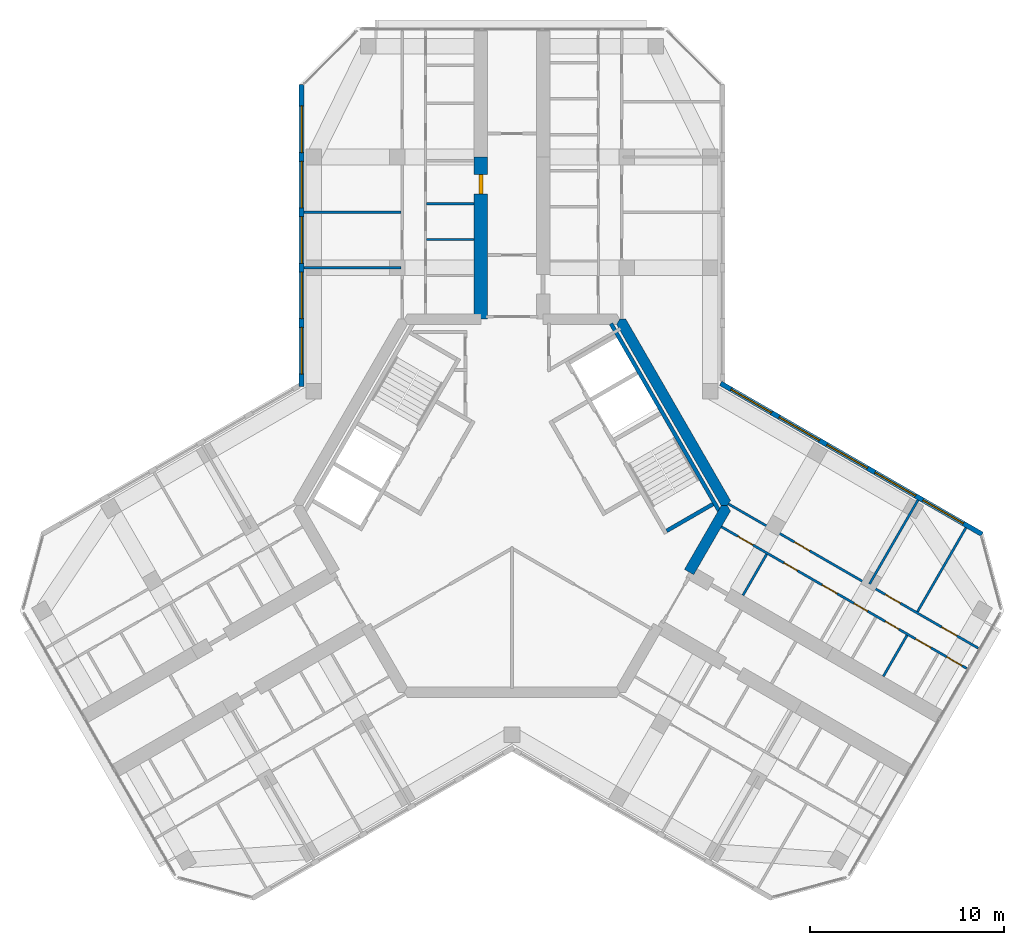
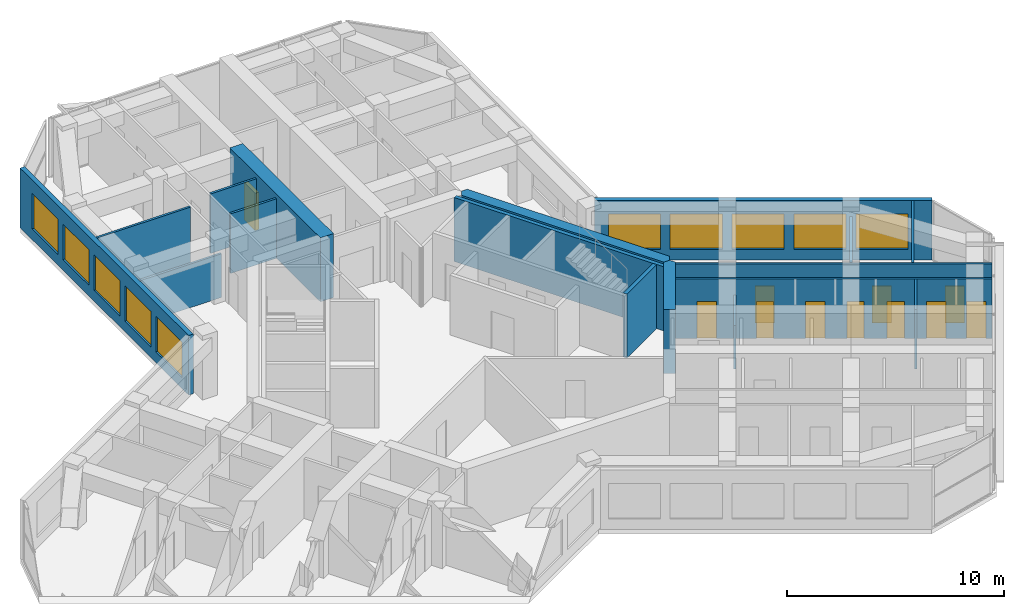
# One storey, part 11 of 14: 17 walls, 11 doors, 10 windows, 21 openings.
"""IFC4 building model written with IfcOpenShell, lengths in metres."""

from ifc_helpers import new_model, si_unit, direction, frame, frame_2d, origin, place, context, subcontext, project, spatial, polyline, rectangle, outline, extrude, material, layer, layer_set, type_object, element, fill, save


model = new_model("IFC4")

# Units and contexts
model_context = context("Model", 3, precision=1e-05, world=origin(), true_north=direction((0.0, 1.0)))
body_context = subcontext(model_context, "Body", "Model", "MODEL_VIEW")
ifc_project = project(units=[si_unit("LENGTHUNIT", "METRE"), si_unit("AREAUNIT", "SQUARE_METRE"), si_unit("VOLUMEUNIT", "CUBIC_METRE"), si_unit("PLANEANGLEUNIT", "RADIAN"), si_unit("MASSUNIT", "GRAM", prefix="KILO")], contexts=[model_context])

# Site, building, storey
site_placement = place(None, origin())
site = spatial("IfcSite", under=ifc_project, at=site_placement, CompositionType="ELEMENT")
building_placement = place(site_placement, origin())
building = spatial("IfcBuilding", under=site, at=building_placement, Name="Kosmar Iwan School Tower", CompositionType="ELEMENT")
storey_placement = place(building_placement, frame((0.0, 0.0, 271.0)))
storey = spatial("IfcBuildingStorey", under=building, at=storey_placement, Name="L68", CompositionType="ELEMENT", Elevation=271.0)

# Walls
ifc_material_1 = material(Name="Concrete C50/60", Category="concrete")
ifc_layer_1 = layer(ifc_material_1, 0.550048828125)
ifc_layer_set_1 = layer_set([ifc_layer_1], Name="Core wall 550")
wall_type_1 = type_object("IfcWallType", Name="Core wall 550", PredefinedType="SHEAR", material=ifc_layer_set_1)
wall_1_placement = place(storey_placement, origin())
element("IfcWall", 1, at=wall_1_placement, inside=storey, type_object=wall_type_1, Name="Core wall F030", PredefinedType="SHEAR", context=body_context, shape_type="SweptSolid", body=[
    extrude(outline(polyline([(10.767578125, 0.0), (11.085205078125, 0.0), (11.243896484375, 0.27490234375), (5.860107421875, 9.60009765625), (5.54248046875, 9.60009765625), (5.3837890625, 9.324951171875), (10.767578125, 0.0)])), origin(), (0.0, 0.0, 1.0), 3.60009765625),
])
wall_2_placement = place(storey_placement, origin())
element("IfcWall", 2, at=wall_2_placement, inside=storey, type_object=wall_type_1, Name="Core wall F330b", PredefinedType="SHEAR", context=body_context, shape_type="SweptSolid", body=[
    extrude(outline(polyline([(9.35205078125, -3.5517578125), (11.243896484375, -0.27490234375), (11.085205078125, 0.0), (10.767578125, 0.0), (8.875732421875, -3.27685546875), (9.35205078125, -3.5517578125)])), origin(), (0.0, 0.0, 1.0), 3.60009765625),
])

# Wall, opening, door
ifc_material_2 = material(Name="Concrete C50/60", Category="concrete")
ifc_layer_2 = layer(ifc_material_2, 0.699951171875)
ifc_layer_set_2 = layer_set([ifc_layer_2], Name="Corridor buttress wall 700")
wall_type_2 = type_object("IfcWallType", Name="Corridor buttress wall 700", PredefinedType="SHEAR", material=ifc_layer_set_2)
wall_3_placement = place(storey_placement, frame((-1.60009765625, 9.60009765625, 0.0), z_axis=(0.0, 0.0, 1.0), x_axis=(0.0, 1.0, 0.0)))
wall_3 = element("IfcWall", 3, at=wall_3_placement, inside=storey, type_object=wall_type_2, Name="Corridor wall AL", PredefinedType="SHEAR", context=body_context, shape_type="SweptSolid", body=[
    extrude(rectangle(XDim=8.349853515625, YDim=0.699951171875, at=frame_2d((4.1748046875, 0.0))), origin(), (0.0, 0.0, 1.0), 3.60009765625),
])
opening_1_placement = place(wall_3_placement, frame((6.449951171875, 0.0, 0.0)))
opening_1 = element("IfcOpeningElement", 4, at=opening_1_placement, cuts=wall_3, Name="Opening D1", PredefinedType="OPENING", context=body_context, shape_type="SweptSolid", body=[
    extrude(rectangle(XDim=1.0, YDim=2.10009765625, at=frame_2d((0.5, 1.050048828125))), frame((0.0, 0.362060546875, 0.0), z_axis=(0.0, -1.0, 0.0), x_axis=(1.0, 0.0, 0.0)), (0.0, 0.0, 1.0), 0.723876953125),
])
ifc_material_3 = material(Name="Timber fire door in steel frame", Category="steel")
door_type_1 = type_object("IfcDoorType", Name="Flat entrance door 1000x2100", OperationType="SINGLE_SWING_LEFT", PredefinedType="DOOR", material=ifc_material_3)
door_1_placement = place(opening_1_placement, origin())
door_1 = element("IfcDoor", 5, at=door_1_placement, inside=storey, type_object=door_type_1, Name="Flat L68-AL1 entrance door", OperationType="SINGLE_SWING_LEFT", OverallHeight=2.10009765625, OverallWidth=1.0, PredefinedType="DOOR", context=body_context, shape_type="SweptSolid", body=[
    extrude(rectangle(XDim=1.0, YDim=2.10009765625, at=frame_2d((0.5, 1.050048828125))), frame((0.0, 0.10009765625, 0.0), z_axis=(0.0, -1.0, 0.0), x_axis=(1.0, 0.0, 0.0)), (0.0, 0.0, 1.0), 0.199951171875),
])
fill(opening_1, door_1)

# Walls
ifc_material_4 = material(Name="Gypsum board on steel studs", Category="steel")
ifc_layer_3 = layer(ifc_material_4, 0.1201171875)
ifc_layer_set_3 = layer_set([ifc_layer_3], Name="Dwelling partition 120")
wall_type_3 = type_object("IfcWallType", Name="Dwelling partition 120", PredefinedType="PARTITIONING", material=ifc_layer_set_3)
wall_4_placement = place(storey_placement, frame((-5.7099609375, 12.25, 0.0), z_axis=(0.0, 0.0, 1.0), x_axis=(-1.0, 0.0, 0.0)))
element("IfcWall", 6, at=wall_4_placement, inside=storey, type_object=wall_type_3, Name="Partition L68-AL1-X1", PredefinedType="PARTITIONING", context=body_context, shape_type="SweptSolid", body=[
    extrude(rectangle(XDim=4.989990234375, YDim=0.1201171875, at=frame_2d((2.4951171875, 0.0))), origin(), (0.0, 0.0, 1.0), 2.449951171875),
])
wall_5_placement = place(storey_placement, frame((-5.7099609375, 15.10009765625, 0.0), z_axis=(0.0, 0.0, 1.0), x_axis=(-1.0, 0.0, 0.0)))
element("IfcWall", 7, at=wall_5_placement, inside=storey, type_object=wall_type_3, Name="Partition L68-AL1-X2", PredefinedType="PARTITIONING", context=body_context, shape_type="SweptSolid", body=[
    extrude(rectangle(XDim=4.989990234375, YDim=0.1201171875, at=frame_2d((2.4951171875, 0.0))), origin(), (0.0, 0.0, 1.0), 3.35009765625),
])
for number, where, z_axis, x_axis, name in (
    (8, (-1.949951171875, 13.699951171875, 0.0), (0.0, 0.0, 1.0), (-1.0, 0.0, 0.0), "Partition L68-AL1-Y2"),
    (9, (-1.949951171875, 15.550048828125, 0.0), (0.0, 0.0, 1.0), (-1.0, 0.0, 0.0), "Partition L68-AL1-Y3"),
):
    element("IfcWall", number, at=place(storey_placement, frame(where, z_axis=z_axis, x_axis=x_axis)), inside=storey, type_object=wall_type_3, Name=name, PredefinedType="PARTITIONING", context=body_context, shape_type="SweptSolid", body=[
        extrude(rectangle(XDim=2.43994140625, YDim=0.1201171875, at=frame_2d((1.219970703125, 0.0))), origin(), (0.0, 0.0, 1.0), 3.35009765625),
    ])

# Wall, openings, doors
wall_6_placement = place(storey_placement, frame((10.777099609375, -1.083740234375, 0.0), z_axis=(0.0, 0.0, 1.0), x_axis=(0.866026811131, -0.499997562396, 0.0)))
wall_6 = element("IfcWall", 10, at=wall_6_placement, inside=storey, type_object=wall_type_3, Name="Partition L68-CL1-W1", PredefinedType="PARTITIONING", context=body_context, shape_type="SweptSolid", body=[
    extrude(rectangle(XDim=14.56982421875, YDim=0.1201171875, at=frame_2d((7.284912109375, 0.0))), origin(), (0.0, 0.0, 1.0), 3.35009765625),
])
opening_2_placement = place(wall_6_placement, frame((0.97509765625, 0.0, 0.0)))
opening_2 = element("IfcOpeningElement", 11, at=opening_2_placement, cuts=wall_6, Name="Opening D2", PredefinedType="OPENING", context=body_context, shape_type="SweptSolid", body=[
    extrude(rectangle(XDim=0.89990234375, YDim=2.10009765625, at=frame_2d((0.449951171875, 1.050048828125))), frame((0.0, 0.072021484375, 0.0), z_axis=(0.0, -1.0, 0.0), x_axis=(1.0, 0.0, 0.0)), (0.0, 0.0, 1.0), 0.14404296875),
])
opening_3_placement = place(wall_6_placement, frame((3.71533203125, 0.0, 0.0)))
opening_3 = element("IfcOpeningElement", 12, at=opening_3_placement, cuts=wall_6, Name="Opening D3", PredefinedType="OPENING", context=body_context, shape_type="SweptSolid", body=[
    extrude(rectangle(XDim=0.800048828125, YDim=2.10009765625, at=frame_2d((0.39990234375, 1.050048828125))), frame((0.0, 0.072021484375, 0.0), z_axis=(0.0, -1.0, 0.0), x_axis=(1.0, 0.0, 0.0)), (0.0, 0.0, 1.0), 0.14404296875),
])
opening_4_placement = place(wall_6_placement, frame((5.982666015625, 0.0, 0.0)))
opening_4 = element("IfcOpeningElement", 13, at=opening_4_placement, cuts=wall_6, Name="Opening D2", PredefinedType="OPENING", context=body_context, shape_type="SweptSolid", body=[
    extrude(rectangle(XDim=0.89990234375, YDim=2.10009765625, at=frame_2d((0.449951171875, 1.050048828125))), frame((0.0, 0.072021484375, 0.0), z_axis=(0.0, -1.0, 0.0), x_axis=(1.0, 0.0, 0.0)), (0.0, 0.0, 1.0), 0.14404296875),
])
opening_5_placement = place(wall_6_placement, frame((7.886474609375, 0.0, 0.0)))
opening_5 = element("IfcOpeningElement", 14, at=opening_5_placement, cuts=wall_6, Name="Opening D3", PredefinedType="OPENING", context=body_context, shape_type="SweptSolid", body=[
    extrude(rectangle(XDim=0.800048828125, YDim=2.10009765625, at=frame_2d((0.39990234375, 1.050048828125))), frame((0.0, 0.072021484375, 0.0), z_axis=(0.0, -1.0, 0.0), x_axis=(1.0, 0.0, 0.0)), (0.0, 0.0, 1.0), 0.14404296875),
])
opening_6_placement = place(wall_6_placement, frame((9.740478515625, 0.0, 0.0)))
opening_6 = element("IfcOpeningElement", 15, at=opening_6_placement, cuts=wall_6, Name="Opening D3", PredefinedType="OPENING", context=body_context, shape_type="SweptSolid", body=[
    extrude(rectangle(XDim=0.800048828125, YDim=2.10009765625, at=frame_2d((0.39990234375, 1.050048828125))), frame((0.0, 0.072021484375, 0.0), z_axis=(0.0, -1.0, 0.0), x_axis=(1.0, 0.0, 0.0)), (0.0, 0.0, 1.0), 0.14404296875),
])
opening_7_placement = place(wall_6_placement, frame((11.544189453125, 0.0, 0.0)))
opening_7 = element("IfcOpeningElement", 16, at=opening_7_placement, cuts=wall_6, Name="Opening D2", PredefinedType="OPENING", context=body_context, shape_type="SweptSolid", body=[
    extrude(rectangle(XDim=0.89990234375, YDim=2.10009765625, at=frame_2d((0.449951171875, 1.050048828125))), frame((0.0, 0.072021484375, 0.0), z_axis=(0.0, -1.0, 0.0), x_axis=(1.0, 0.0, 0.0)), (0.0, 0.0, 1.0), 0.14404296875),
])
opening_8_placement = place(wall_6_placement, frame((13.398193359375, 0.0, 0.0)))
opening_8 = element("IfcOpeningElement", 17, at=opening_8_placement, cuts=wall_6, Name="Opening D2", PredefinedType="OPENING", context=body_context, shape_type="SweptSolid", body=[
    extrude(rectangle(XDim=0.89990234375, YDim=2.10009765625, at=frame_2d((0.449951171875, 1.050048828125))), frame((0.0, 0.072021484375, 0.0), z_axis=(0.0, -1.0, 0.0), x_axis=(1.0, 0.0, 0.0)), (0.0, 0.0, 1.0), 0.14404296875),
])
ifc_material_5 = material(Name="Timber door in timber frame", Category="wood")
door_type_2 = type_object("IfcDoorType", Name="Internal door 900x2100", OperationType="SINGLE_SWING_LEFT", PredefinedType="DOOR", material=ifc_material_5)
door_2_placement = place(opening_2_placement, origin())
door_2 = element("IfcDoor", 18, at=door_2_placement, inside=storey, type_object=door_type_2, Name="Entrance hall door L68-CL1-S1", OperationType="SINGLE_SWING_LEFT", OverallHeight=2.10009765625, OverallWidth=0.89990234375, PredefinedType="DOOR", context=body_context, shape_type="SweptSolid", body=[
    extrude(rectangle(XDim=0.89990234375, YDim=2.10009765625, at=frame_2d((0.449951171875, 1.050048828125))), frame((0.0, 0.02490234375, 0.0), z_axis=(0.0, -1.0, 0.0), x_axis=(1.0, 0.0, 0.0)), (0.0, 0.0, 1.0), 0.050048828125),
])
fill(opening_2, door_2)
door_3_placement = place(opening_4_placement, origin())
door_3 = element("IfcDoor", 19, at=door_3_placement, inside=storey, type_object=door_type_2, Name="Pantry door L68-CL1-S3", OperationType="SINGLE_SWING_LEFT", OverallHeight=2.10009765625, OverallWidth=0.89990234375, PredefinedType="DOOR", context=body_context, shape_type="SweptSolid", body=[
    extrude(rectangle(XDim=0.89990234375, YDim=2.10009765625, at=frame_2d((0.449951171875, 1.050048828125))), frame((0.0, 0.02490234375, 0.0), z_axis=(0.0, -1.0, 0.0), x_axis=(1.0, 0.0, 0.0)), (0.0, 0.0, 1.0), 0.050048828125),
])
fill(opening_4, door_3)
door_4_placement = place(opening_7_placement, origin())
door_4 = element("IfcDoor", 20, at=door_4_placement, inside=storey, type_object=door_type_2, Name="Utility room door L68-CL1-S6", OperationType="SINGLE_SWING_RIGHT", OverallHeight=2.10009765625, OverallWidth=0.89990234375, PredefinedType="DOOR", context=body_context, shape_type="SweptSolid", body=[
    extrude(rectangle(XDim=0.89990234375, YDim=2.10009765625, at=frame_2d((0.449951171875, 1.050048828125))), frame((0.0, 0.02490234375, 0.0), z_axis=(0.0, -1.0, 0.0), x_axis=(1.0, 0.0, 0.0)), (0.0, 0.0, 1.0), 0.050048828125),
])
fill(opening_7, door_4)
door_5_placement = place(opening_8_placement, origin())
door_5 = element("IfcDoor", 21, at=door_5_placement, inside=storey, type_object=door_type_2, Name="Dressing room door L68-CL1-S7", OperationType="SINGLE_SWING_RIGHT", OverallHeight=2.10009765625, OverallWidth=0.89990234375, PredefinedType="DOOR", context=body_context, shape_type="SweptSolid", body=[
    extrude(rectangle(XDim=0.89990234375, YDim=2.10009765625, at=frame_2d((0.449951171875, 1.050048828125))), frame((0.0, 0.02490234375, 0.0), z_axis=(0.0, -1.0, 0.0), x_axis=(1.0, 0.0, 0.0)), (0.0, 0.0, 1.0), 0.050048828125),
])
fill(opening_8, door_5)
ifc_material_6 = material(Name="Timber door in timber frame", Category="wood")
door_type_3 = type_object("IfcDoorType", Name="Sanitary room door 800x2100", OperationType="SINGLE_SWING_LEFT", PredefinedType="DOOR", material=ifc_material_6)
door_6_placement = place(opening_3_placement, origin())
door_6 = element("IfcDoor", 22, at=door_6_placement, inside=storey, type_object=door_type_3, Name="Bathroom door L68-CL1-S2", OperationType="SINGLE_SWING_LEFT", OverallHeight=2.10009765625, OverallWidth=0.800048828125, PredefinedType="DOOR", context=body_context, shape_type="SweptSolid", body=[
    extrude(rectangle(XDim=0.800048828125, YDim=2.10009765625, at=frame_2d((0.39990234375, 1.050048828125))), frame((0.0, 0.02490234375, 0.0), z_axis=(0.0, -1.0, 0.0), x_axis=(1.0, 0.0, 0.0)), (0.0, 0.0, 1.0), 0.050048828125),
])
fill(opening_3, door_6)
door_7_placement = place(opening_5_placement, origin())
door_7 = element("IfcDoor", 23, at=door_7_placement, inside=storey, type_object=door_type_3, Name="WC door L68-CL1-S4", OperationType="SINGLE_SWING_RIGHT", OverallHeight=2.10009765625, OverallWidth=0.800048828125, PredefinedType="DOOR", context=body_context, shape_type="SweptSolid", body=[
    extrude(rectangle(XDim=0.800048828125, YDim=2.10009765625, at=frame_2d((0.39990234375, 1.050048828125))), frame((0.0, 0.02490234375, 0.0), z_axis=(0.0, -1.0, 0.0), x_axis=(1.0, 0.0, 0.0)), (0.0, 0.0, 1.0), 0.050048828125),
])
fill(opening_5, door_7)
door_8_placement = place(opening_6_placement, origin())
door_8 = element("IfcDoor", 24, at=door_8_placement, inside=storey, type_object=door_type_3, Name="Store door L68-CL1-S5", OperationType="SINGLE_SWING_RIGHT", OverallHeight=2.10009765625, OverallWidth=0.800048828125, PredefinedType="DOOR", context=body_context, shape_type="SweptSolid", body=[
    extrude(rectangle(XDim=0.800048828125, YDim=2.10009765625, at=frame_2d((0.39990234375, 1.050048828125))), frame((0.0, 0.02490234375, 0.0), z_axis=(0.0, -1.0, 0.0), x_axis=(1.0, 0.0, 0.0)), (0.0, 0.0, 1.0), 0.050048828125),
])
fill(opening_6, door_8)

wall_7_placement = place(storey_placement, frame((11.138916015625, 0.093017578125, 0.0), z_axis=(0.0, 0.0, 1.0), x_axis=(0.866030301974, -0.499991515992, 0.0)))
wall_7 = element("IfcWall", 25, at=wall_7_placement, inside=storey, type_object=wall_type_3, Name="Partition L68-CL1-W2", PredefinedType="PARTITIONING", context=body_context, shape_type="SweptSolid", body=[
    extrude(rectangle(XDim=14.844970703125, YDim=0.1201171875, at=frame_2d((7.42236328125, 0.0))), origin(), (0.0, 0.0, 1.0), 3.35009765625),
])
opening_9_placement = place(wall_7_placement, frame((3.925048828125, 0.0, 0.0)))
opening_9 = element("IfcOpeningElement", 26, at=opening_9_placement, cuts=wall_7, Name="Opening D2", PredefinedType="OPENING", context=body_context, shape_type="SweptSolid", body=[
    extrude(rectangle(XDim=0.89990234375, YDim=2.10009765625, at=frame_2d((0.449951171875, 1.050048828125))), frame((0.0, 0.072021484375, 0.0), z_axis=(0.0, -1.0, 0.0), x_axis=(1.0, 0.0, 0.0)), (0.0, 0.0, 1.0), 0.14404296875),
])
opening_10_placement = place(wall_7_placement, frame((9.324951171875, 0.0, 0.0)))
opening_10 = element("IfcOpeningElement", 27, at=opening_10_placement, cuts=wall_7, Name="Opening D2", PredefinedType="OPENING", context=body_context, shape_type="SweptSolid", body=[
    extrude(rectangle(XDim=0.89990234375, YDim=2.10009765625, at=frame_2d((0.449951171875, 1.050048828125))), frame((0.0, 0.072021484375, 0.0), z_axis=(0.0, -1.0, 0.0), x_axis=(1.0, 0.0, 0.0)), (0.0, 0.0, 1.0), 0.14404296875),
])
opening_11_placement = place(wall_7_placement, frame((12.675048828125, 0.0, 0.0)))
opening_11 = element("IfcOpeningElement", 28, at=opening_11_placement, cuts=wall_7, Name="Opening D2", PredefinedType="OPENING", context=body_context, shape_type="SweptSolid", body=[
    extrude(rectangle(XDim=0.89990234375, YDim=2.10009765625, at=frame_2d((0.449951171875, 1.050048828125))), frame((0.0, 0.072021484375, 0.0), z_axis=(0.0, -1.0, 0.0), x_axis=(1.0, 0.0, 0.0)), (0.0, 0.0, 1.0), 0.14404296875),
])
door_9_placement = place(opening_9_placement, origin())
door_9 = element("IfcDoor", 29, at=door_9_placement, inside=storey, type_object=door_type_2, Name="Living room door L68-CL1-F1", OperationType="SINGLE_SWING_LEFT", OverallHeight=2.10009765625, OverallWidth=0.89990234375, PredefinedType="DOOR", context=body_context, shape_type="SweptSolid", body=[
    extrude(rectangle(XDim=0.89990234375, YDim=2.10009765625, at=frame_2d((0.449951171875, 1.050048828125))), frame((0.0, 0.02490234375, 0.0), z_axis=(0.0, -1.0, 0.0), x_axis=(1.0, 0.0, 0.0)), (0.0, 0.0, 1.0), 0.050048828125),
])
fill(opening_9, door_9)
door_10_placement = place(opening_10_placement, origin())
door_10 = element("IfcDoor", 30, at=door_10_placement, inside=storey, type_object=door_type_2, Name="Kitchen and dining room door L68-CL1-F2", OperationType="SINGLE_SWING_RIGHT", OverallHeight=2.10009765625, OverallWidth=0.89990234375, PredefinedType="DOOR", context=body_context, shape_type="SweptSolid", body=[
    extrude(rectangle(XDim=0.89990234375, YDim=2.10009765625, at=frame_2d((0.449951171875, 1.050048828125))), frame((0.0, 0.02490234375, 0.0), z_axis=(0.0, -1.0, 0.0), x_axis=(1.0, 0.0, 0.0)), (0.0, 0.0, 1.0), 0.050048828125),
])
fill(opening_10, door_10)
door_11_placement = place(opening_11_placement, origin())
door_11 = element("IfcDoor", 31, at=door_11_placement, inside=storey, type_object=door_type_2, Name="Bedroom 1 door L68-CL1-F3", OperationType="SINGLE_SWING_RIGHT", OverallHeight=2.10009765625, OverallWidth=0.89990234375, PredefinedType="DOOR", context=body_context, shape_type="SweptSolid", body=[
    extrude(rectangle(XDim=0.89990234375, YDim=2.10009765625, at=frame_2d((0.449951171875, 1.050048828125))), frame((0.0, 0.02490234375, 0.0), z_axis=(0.0, -1.0, 0.0), x_axis=(1.0, 0.0, 0.0)), (0.0, 0.0, 1.0), 0.050048828125),
])
fill(opening_11, door_11)

# Walls
wall_8_placement = place(storey_placement, frame((18.400146484375, -4.030029296875, 0.0), z_axis=(0.0, 0.0, 1.0), x_axis=(0.500011847778, 0.866018563358, 0.0)))
element("IfcWall", 32, at=wall_8_placement, inside=storey, type_object=wall_type_3, Name="Partition L68-CL1-X1", PredefinedType="PARTITIONING", context=body_context, shape_type="SweptSolid", body=[
    extrude(rectangle(XDim=4.990234375, YDim=0.1201171875, at=frame_2d((2.4951171875, 0.0))), origin(), (0.0, 0.0, 1.0), 2.449951171875),
])
wall_9_placement = place(storey_placement, frame((20.868408203125, -5.455078125, 0.0), z_axis=(0.0, 0.0, 1.0), x_axis=(0.499975153383, 0.86603974851, 0.0)))
element("IfcWall", 33, at=wall_9_placement, inside=storey, type_object=wall_type_3, Name="Partition L68-CL1-X2", PredefinedType="PARTITIONING", context=body_context, shape_type="SweptSolid", body=[
    extrude(rectangle(XDim=4.989990234375, YDim=0.1201171875, at=frame_2d((2.4951171875, 0.0))), origin(), (0.0, 0.0, 1.0), 3.35009765625),
])
wall_10_placement = place(storey_placement, frame((11.886962890625, -4.611328125, 0.0), z_axis=(0.0, 0.0, 1.0), x_axis=(0.499959183527, 0.866048967903, 0.0)))
element("IfcWall", 34, at=wall_10_placement, inside=storey, type_object=wall_type_3, Name="Partition L68-CL1-Y1", PredefinedType="PARTITIONING", context=body_context, shape_type="SweptSolid", body=[
    extrude(rectangle(XDim=2.440185546875, YDim=0.1201171875, at=frame_2d((1.22021484375, 0.0))), origin(), (0.0, 0.0, 1.0), 2.449951171875),
])
wall_11_placement = place(storey_placement, frame((19.111572265625, -8.782470703125, 0.0), z_axis=(0.0, 0.0, 1.0), x_axis=(0.499959183527, 0.866048967903, 0.0)))
element("IfcWall", 35, at=wall_11_placement, inside=storey, type_object=wall_type_3, Name="Partition L68-CL1-Y5", PredefinedType="PARTITIONING", context=body_context, shape_type="SweptSolid", body=[
    extrude(rectangle(XDim=2.440185546875, YDim=0.1201171875, at=frame_2d((1.22021484375, 0.0))), origin(), (0.0, 0.0, 1.0), 3.35009765625),
])

# Wall, openings, windows
ifc_material_7 = material(Name="Black aluminium rainscreen on insulated framing", Category="aluminium")
ifc_layer_4 = layer(ifc_material_7, 0.25)
ifc_layer_set_4 = layer_set([ifc_layer_4], Name="External wall rainscreen 250")
wall_type_4 = type_object("IfcWallType", Name="External wall rainscreen 250", PredefinedType="SOLIDWALL", material=ifc_layer_set_4)
wall_12_placement = place(storey_placement, frame((10.73681640625, 6.30078125, 0.0), z_axis=(0.0, 0.0, 1.0), x_axis=(0.866023091024, -0.500004005797, 0.0)))
wall_12 = element("IfcWall", 36, at=wall_12_placement, inside=storey, type_object=wall_type_4, Name="External wall CL L68", PredefinedType="SOLIDWALL", context=body_context, shape_type="SweptSolid", body=[
    extrude(rectangle(XDim=15.537353515625, YDim=0.25, at=frame_2d((7.7685546875, 0.0))), origin(), (0.0, 0.0, 1.0), 3.35009765625),
])
opening_12_placement = place(wall_12_placement, frame((0.626953125, 0.0, 0.60009765625)))
opening_12 = element("IfcOpeningElement", 37, at=opening_12_placement, cuts=wall_12, Name="Opening W6", PredefinedType="OPENING", context=body_context, shape_type="SweptSolid", body=[
    extrude(rectangle(XDim=2.39990234375, YDim=2.0, at=frame_2d((1.199951171875, 1.0))), frame((0.0, 0.136962890625, 0.0), z_axis=(0.0, -1.0, 0.0), x_axis=(1.0, 0.0, 0.0)), (0.0, 0.0, 1.0), 0.27392578125),
])
opening_13_placement = place(wall_12_placement, frame((3.47705078125, 0.0, 0.60009765625)))
opening_13 = element("IfcOpeningElement", 38, at=opening_13_placement, cuts=wall_12, Name="Opening W6", PredefinedType="OPENING", context=body_context, shape_type="SweptSolid", body=[
    extrude(rectangle(XDim=2.39990234375, YDim=2.0, at=frame_2d((1.199951171875, 1.0))), frame((0.0, 0.136962890625, 0.0), z_axis=(0.0, -1.0, 0.0), x_axis=(1.0, 0.0, 0.0)), (0.0, 0.0, 1.0), 0.27392578125),
])
opening_14_placement = place(wall_12_placement, frame((6.326904296875, 0.0, 0.60009765625)))
opening_14 = element("IfcOpeningElement", 39, at=opening_14_placement, cuts=wall_12, Name="Opening W6", PredefinedType="OPENING", context=body_context, shape_type="SweptSolid", body=[
    extrude(rectangle(XDim=2.39990234375, YDim=2.0, at=frame_2d((1.199951171875, 1.0))), frame((0.0, 0.136962890625, 0.0), z_axis=(0.0, -1.0, 0.0), x_axis=(1.0, 0.0, 0.0)), (0.0, 0.0, 1.0), 0.27392578125),
])
opening_15_placement = place(wall_12_placement, frame((9.177001953125, 0.0, 0.60009765625)))
opening_15 = element("IfcOpeningElement", 40, at=opening_15_placement, cuts=wall_12, Name="Opening W6", PredefinedType="OPENING", context=body_context, shape_type="SweptSolid", body=[
    extrude(rectangle(XDim=2.39990234375, YDim=2.0, at=frame_2d((1.199951171875, 1.0))), frame((0.0, 0.136962890625, 0.0), z_axis=(0.0, -1.0, 0.0), x_axis=(1.0, 0.0, 0.0)), (0.0, 0.0, 1.0), 0.27392578125),
])
opening_16_placement = place(wall_12_placement, frame((12.027099609375, 0.0, 0.60009765625)))
opening_16 = element("IfcOpeningElement", 41, at=opening_16_placement, cuts=wall_12, Name="Opening W6", PredefinedType="OPENING", context=body_context, shape_type="SweptSolid", body=[
    extrude(rectangle(XDim=2.39990234375, YDim=2.0, at=frame_2d((1.199951171875, 1.0))), frame((0.0, 0.136962890625, 0.0), z_axis=(0.0, -1.0, 0.0), x_axis=(1.0, 0.0, 0.0)), (0.0, 0.0, 1.0), 0.27392578125),
])
ifc_material_8 = material(Name="Black aluminium frame with dark triple glazing", Category="aluminium")
window_type = type_object("IfcWindowType", Name="Window 2400x2000", PartitioningType="SINGLE_PANEL", PredefinedType="WINDOW", material=ifc_material_8)
window_1_placement = place(opening_12_placement, origin())
window_1 = element("IfcWindow", 42, at=window_1_placement, inside=storey, type_object=window_type, Name="Window CL L68 -1", OverallHeight=2.0, OverallWidth=2.39990234375, PartitioningType="SINGLE_PANEL", PredefinedType="WINDOW", context=body_context, shape_type="SweptSolid", body=[
    extrude(rectangle(XDim=2.39990234375, YDim=2.0, at=frame_2d((1.199951171875, 1.0))), frame((0.0, 0.030029296875, 0.0), z_axis=(0.0, -1.0, 0.0), x_axis=(1.0, 0.0, 0.0)), (0.0, 0.0, 1.0), 0.06005859375),
])
fill(opening_12, window_1)
window_2_placement = place(opening_13_placement, origin())
window_2 = element("IfcWindow", 43, at=window_2_placement, inside=storey, type_object=window_type, Name="Window CL L68 0", OverallHeight=2.0, OverallWidth=2.39990234375, PartitioningType="SINGLE_PANEL", PredefinedType="WINDOW", context=body_context, shape_type="SweptSolid", body=[
    extrude(rectangle(XDim=2.39990234375, YDim=2.0, at=frame_2d((1.199951171875, 1.0))), frame((0.0, 0.030029296875, 0.0), z_axis=(0.0, -1.0, 0.0), x_axis=(1.0, 0.0, 0.0)), (0.0, 0.0, 1.0), 0.06005859375),
])
fill(opening_13, window_2)
window_3_placement = place(opening_14_placement, origin())
window_3 = element("IfcWindow", 44, at=window_3_placement, inside=storey, type_object=window_type, Name="Window CL L68 1", OverallHeight=2.0, OverallWidth=2.39990234375, PartitioningType="SINGLE_PANEL", PredefinedType="WINDOW", context=body_context, shape_type="SweptSolid", body=[
    extrude(rectangle(XDim=2.39990234375, YDim=2.0, at=frame_2d((1.199951171875, 1.0))), frame((0.0, 0.030029296875, 0.0), z_axis=(0.0, -1.0, 0.0), x_axis=(1.0, 0.0, 0.0)), (0.0, 0.0, 1.0), 0.06005859375),
])
fill(opening_14, window_3)
window_4_placement = place(opening_15_placement, origin())
window_4 = element("IfcWindow", 45, at=window_4_placement, inside=storey, type_object=window_type, Name="Window CL L68 2", OverallHeight=2.0, OverallWidth=2.39990234375, PartitioningType="SINGLE_PANEL", PredefinedType="WINDOW", context=body_context, shape_type="SweptSolid", body=[
    extrude(rectangle(XDim=2.39990234375, YDim=2.0, at=frame_2d((1.199951171875, 1.0))), frame((0.0, 0.030029296875, 0.0), z_axis=(0.0, -1.0, 0.0), x_axis=(1.0, 0.0, 0.0)), (0.0, 0.0, 1.0), 0.06005859375),
])
fill(opening_15, window_4)
window_5_placement = place(opening_16_placement, origin())
window_5 = element("IfcWindow", 46, at=window_5_placement, inside=storey, type_object=window_type, Name="Window CL L68 3", OverallHeight=2.0, OverallWidth=2.39990234375, PartitioningType="SINGLE_PANEL", PredefinedType="WINDOW", context=body_context, shape_type="SweptSolid", body=[
    extrude(rectangle(XDim=2.39990234375, YDim=2.0, at=frame_2d((1.199951171875, 1.0))), frame((0.0, 0.030029296875, 0.0), z_axis=(0.0, -1.0, 0.0), x_axis=(1.0, 0.0, 0.0)), (0.0, 0.0, 1.0), 0.06005859375),
])
fill(opening_16, window_5)

wall_13_placement = place(storey_placement, frame((-10.824951171875, 6.14794921875, 0.0), z_axis=(0.0, 0.0, 1.0), x_axis=(0.0, 1.0, 0.0)))
wall_13 = element("IfcWall", 47, at=wall_13_placement, inside=storey, type_object=wall_type_4, Name="External wall AL L68", PredefinedType="SOLIDWALL", context=body_context, shape_type="SweptSolid", body=[
    extrude(rectangle(XDim=15.537353515625, YDim=0.25, at=frame_2d((7.7685546875, 0.0))), origin(), (0.0, 0.0, 1.0), 3.35009765625),
])
opening_17_placement = place(wall_13_placement, frame((0.626953125, 0.0, 0.60009765625)))
opening_17 = element("IfcOpeningElement", 48, at=opening_17_placement, cuts=wall_13, Name="Opening W6", PredefinedType="OPENING", context=body_context, shape_type="SweptSolid", body=[
    extrude(rectangle(XDim=2.39990234375, YDim=2.0, at=frame_2d((1.199951171875, 1.0))), frame((0.0, 0.136962890625, 0.0), z_axis=(0.0, -1.0, 0.0), x_axis=(1.0, 0.0, 0.0)), (0.0, 0.0, 1.0), 0.27392578125),
])
opening_18_placement = place(wall_13_placement, frame((3.47705078125, 0.0, 0.60009765625)))
opening_18 = element("IfcOpeningElement", 49, at=opening_18_placement, cuts=wall_13, Name="Opening W6", PredefinedType="OPENING", context=body_context, shape_type="SweptSolid", body=[
    extrude(rectangle(XDim=2.39990234375, YDim=2.0, at=frame_2d((1.199951171875, 1.0))), frame((0.0, 0.136962890625, 0.0), z_axis=(0.0, -1.0, 0.0), x_axis=(1.0, 0.0, 0.0)), (0.0, 0.0, 1.0), 0.27392578125),
])
opening_19_placement = place(wall_13_placement, frame((6.326904296875, 0.0, 0.60009765625)))
opening_19 = element("IfcOpeningElement", 50, at=opening_19_placement, cuts=wall_13, Name="Opening W6", PredefinedType="OPENING", context=body_context, shape_type="SweptSolid", body=[
    extrude(rectangle(XDim=2.39990234375, YDim=2.0, at=frame_2d((1.199951171875, 1.0))), frame((0.0, 0.136962890625, 0.0), z_axis=(0.0, -1.0, 0.0), x_axis=(1.0, 0.0, 0.0)), (0.0, 0.0, 1.0), 0.27392578125),
])
opening_20_placement = place(wall_13_placement, frame((9.177001953125, 0.0, 0.60009765625)))
opening_20 = element("IfcOpeningElement", 51, at=opening_20_placement, cuts=wall_13, Name="Opening W6", PredefinedType="OPENING", context=body_context, shape_type="SweptSolid", body=[
    extrude(rectangle(XDim=2.39990234375, YDim=2.0, at=frame_2d((1.199951171875, 1.0))), frame((0.0, 0.136962890625, 0.0), z_axis=(0.0, -1.0, 0.0), x_axis=(1.0, 0.0, 0.0)), (0.0, 0.0, 1.0), 0.27392578125),
])
opening_21_placement = place(wall_13_placement, frame((12.027099609375, 0.0, 0.60009765625)))
opening_21 = element("IfcOpeningElement", 52, at=opening_21_placement, cuts=wall_13, Name="Opening W6", PredefinedType="OPENING", context=body_context, shape_type="SweptSolid", body=[
    extrude(rectangle(XDim=2.39990234375, YDim=2.0, at=frame_2d((1.199951171875, 1.0))), frame((0.0, 0.136962890625, 0.0), z_axis=(0.0, -1.0, 0.0), x_axis=(1.0, 0.0, 0.0)), (0.0, 0.0, 1.0), 0.27392578125),
])
window_6_placement = place(opening_17_placement, origin())
window_6 = element("IfcWindow", 53, at=window_6_placement, inside=storey, type_object=window_type, Name="Window AL L68 -1", OverallHeight=2.0, OverallWidth=2.39990234375, PartitioningType="SINGLE_PANEL", PredefinedType="WINDOW", context=body_context, shape_type="SweptSolid", body=[
    extrude(rectangle(XDim=2.39990234375, YDim=2.0, at=frame_2d((1.199951171875, 1.0))), frame((0.0, 0.030029296875, 0.0), z_axis=(0.0, -1.0, 0.0), x_axis=(1.0, 0.0, 0.0)), (0.0, 0.0, 1.0), 0.06005859375),
])
fill(opening_17, window_6)
window_7_placement = place(opening_18_placement, origin())
window_7 = element("IfcWindow", 54, at=window_7_placement, inside=storey, type_object=window_type, Name="Window AL L68 0", OverallHeight=2.0, OverallWidth=2.39990234375, PartitioningType="SINGLE_PANEL", PredefinedType="WINDOW", context=body_context, shape_type="SweptSolid", body=[
    extrude(rectangle(XDim=2.39990234375, YDim=2.0, at=frame_2d((1.199951171875, 1.0))), frame((0.0, 0.030029296875, 0.0), z_axis=(0.0, -1.0, 0.0), x_axis=(1.0, 0.0, 0.0)), (0.0, 0.0, 1.0), 0.06005859375),
])
fill(opening_18, window_7)
window_8_placement = place(opening_19_placement, origin())
window_8 = element("IfcWindow", 55, at=window_8_placement, inside=storey, type_object=window_type, Name="Window AL L68 1", OverallHeight=2.0, OverallWidth=2.39990234375, PartitioningType="SINGLE_PANEL", PredefinedType="WINDOW", context=body_context, shape_type="SweptSolid", body=[
    extrude(rectangle(XDim=2.39990234375, YDim=2.0, at=frame_2d((1.199951171875, 1.0))), frame((0.0, 0.030029296875, 0.0), z_axis=(0.0, -1.0, 0.0), x_axis=(1.0, 0.0, 0.0)), (0.0, 0.0, 1.0), 0.06005859375),
])
fill(opening_19, window_8)
window_9_placement = place(opening_20_placement, origin())
window_9 = element("IfcWindow", 56, at=window_9_placement, inside=storey, type_object=window_type, Name="Window AL L68 2", OverallHeight=2.0, OverallWidth=2.39990234375, PartitioningType="SINGLE_PANEL", PredefinedType="WINDOW", context=body_context, shape_type="SweptSolid", body=[
    extrude(rectangle(XDim=2.39990234375, YDim=2.0, at=frame_2d((1.199951171875, 1.0))), frame((0.0, 0.030029296875, 0.0), z_axis=(0.0, -1.0, 0.0), x_axis=(1.0, 0.0, 0.0)), (0.0, 0.0, 1.0), 0.06005859375),
])
fill(opening_20, window_9)
window_10_placement = place(opening_21_placement, origin())
window_10 = element("IfcWindow", 57, at=window_10_placement, inside=storey, type_object=window_type, Name="Window AL L68 3", OverallHeight=2.0, OverallWidth=2.39990234375, PartitioningType="SINGLE_PANEL", PredefinedType="WINDOW", context=body_context, shape_type="SweptSolid", body=[
    extrude(rectangle(XDim=2.39990234375, YDim=2.0, at=frame_2d((1.199951171875, 1.0))), frame((0.0, 0.030029296875, 0.0), z_axis=(0.0, -1.0, 0.0), x_axis=(1.0, 0.0, 0.0)), (0.0, 0.0, 1.0), 0.06005859375),
])
fill(opening_21, window_10)

# Walls
ifc_material_9 = material(Name="Concrete C50/60", Category="concrete")
ifc_layer_5 = layer(ifc_material_9, 0.199951171875)
ifc_layer_set_5 = layer_set([ifc_layer_5], Name="Lift shaft wall 200")
wall_type_5 = type_object("IfcWallType", Name="Lift shaft wall 200", PredefinedType="SHEAR", material=ifc_layer_set_5)
wall_14_placement = place(storey_placement, frame((10.66650390625, -0.27490234375, 0.0), z_axis=(0.0, 0.0, 1.0), x_axis=(-0.499994302092, 0.866028693448, 0.0)))
element("IfcWall", 58, at=wall_14_placement, inside=storey, type_object=wall_type_5, Name="Lift and stair back wall AC", PredefinedType="SHEAR", context=body_context, shape_type="SweptSolid", body=[
    extrude(rectangle(XDim=11.142822265625, YDim=0.199951171875, at=frame_2d((5.5712890625, 0.0))), origin(), (0.0, 0.0, 1.0), 3.60009765625),
])
ifc_material_10 = material(Name="Concrete C50/60", Category="concrete")
ifc_layer_6 = layer(ifc_material_10, 0.199951171875)
ifc_layer_set_6 = layer_set([ifc_layer_6], Name="Stair enclosure wall 200")
wall_type_6 = type_object("IfcWallType", Name="Stair enclosure wall 200", PredefinedType="SHEAR", material=ifc_layer_set_6)
wall_15_placement = place(storey_placement, frame((7.962646484375, -1.291748046875, 0.0), z_axis=(0.0, 0.0, 1.0), x_axis=(0.866027397988, 0.499996545922, 0.0)))
element("IfcWall", 59, at=wall_15_placement, inside=storey, type_object=wall_type_6, Name="Stair ST1 wall", PredefinedType="SHEAR", context=body_context, shape_type="SweptSolid", body=[
    extrude(rectangle(XDim=2.75, YDim=0.199951171875, at=frame_2d((1.375, 0.0))), origin(), (0.0, 0.0, 1.0), 3.60009765625),
])

save(model, "model.ifc")
